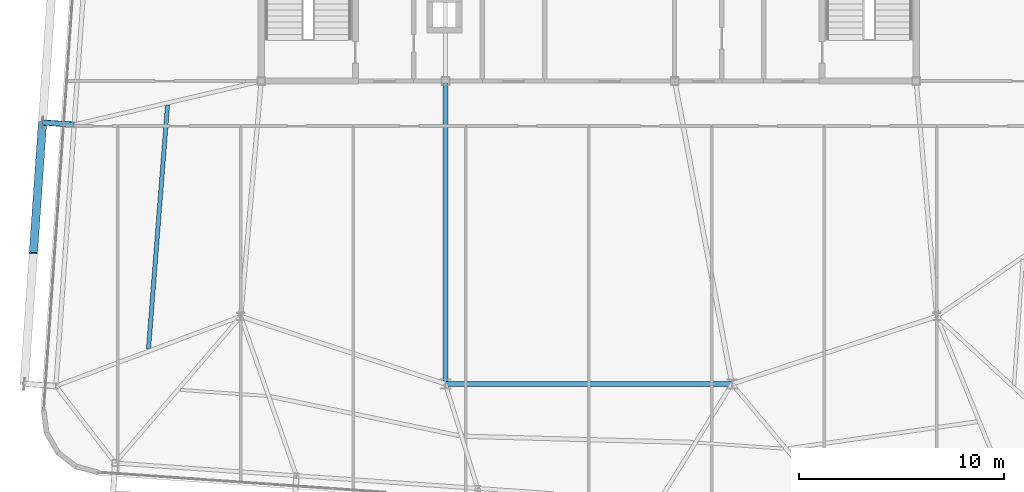
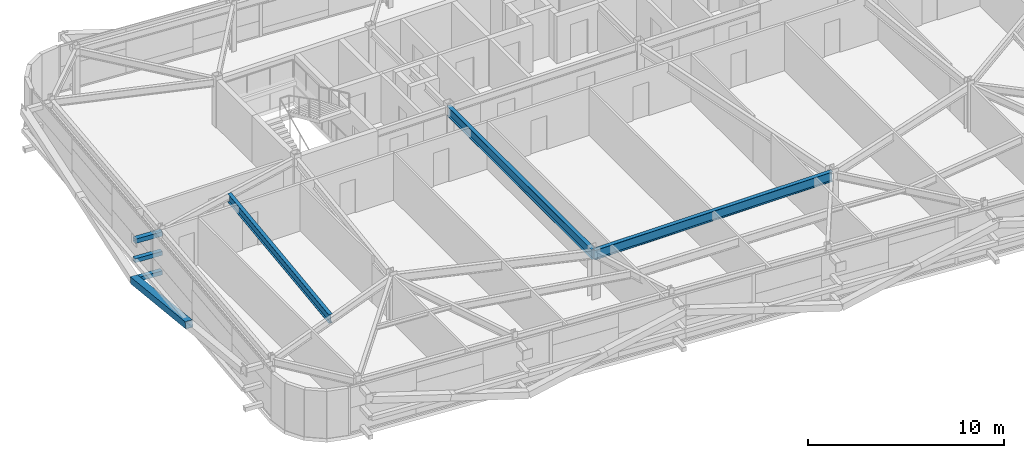
# One storey, part 10 of 39: 4 members, 3 beams.
"""IFC4 building model written with IfcOpenShell, lengths in metres."""

from ifc_helpers import new_model, si_unit, direction, frame, origin, origin_2d, place, context, subcontext, project, spatial, hollow_rectangle, i_section, extrude, source, transform, mapped, material, material_profile, profile_set, type_object, element, save


model = new_model("IFC4")

# Units and contexts
model_context = context("Model", 3, precision=1e-05, world=origin(), true_north=direction((0.0, 1.0)))
body_context = subcontext(model_context, "Body", "Model", "MODEL_VIEW")
ifc_project = project(units=[si_unit("LENGTHUNIT", "METRE"), si_unit("AREAUNIT", "SQUARE_METRE"), si_unit("VOLUMEUNIT", "CUBIC_METRE"), si_unit("PLANEANGLEUNIT", "RADIAN"), si_unit("MASSUNIT", "GRAM", prefix="KILO")], contexts=[model_context])

# Site, building, storey
site_placement = place(None, origin())
site = spatial("IfcSite", under=ifc_project, at=site_placement, CompositionType="ELEMENT")
building_placement = place(site_placement, origin())
building = spatial("IfcBuilding", under=site, at=building_placement, Name="Taldren Reach Tower", CompositionType="ELEMENT")
storey_placement = place(building_placement, frame((0.0, 0.0, 123.550048828125)))
storey = spatial("IfcBuildingStorey", under=building, at=storey_placement, Name="L37", CompositionType="ELEMENT", Elevation=123.550048828125)

# Beams
ifc_material_1 = material(Name="Steel Gr 350 (350PLUS)", Category="steel")
ifc_material_profile_1 = material_profile(ifc_material_1, i_section(OverallWidth=0.22802734375, OverallDepth=0.60205078125, WebThickness=0.010498046875, FlangeThickness=0.014892578125, at=origin_2d()), Name="610UB101")
ifc_profile_set_1 = profile_set([ifc_material_profile_1], Name="Steel Gr 350 (350PLUS)")
beam_type_1 = type_object("IfcBeamType", Name="BM-UB610B", PredefinedType="BEAM", material=ifc_profile_set_1)
shared_shape_1 = source(origin(), body_context, "Body", "SweptSolid", [
    extrude(i_section(OverallWidth=0.22802734375, OverallDepth=0.60205078125, WebThickness=0.010498046875, FlangeThickness=0.014892578125, at=origin_2d()), origin(), (0.0, 0.0, 1.0), 14.0),
])
beam_1_placement = place(storey_placement, frame((28.0, 9.199951171875, 2.62890625), z_axis=(1.0, 0.0, 0.0), x_axis=(0.0, 1.0, 0.0)))
element("IfcBeam", 1, at=beam_1_placement, inside=storey, type_object=beam_type_1, Name="Core-spine girder L37-SP11", PredefinedType="BEAM", context=body_context, shape_type="MappedRepresentation", body=[
    mapped(shared_shape_1, transform((0.0, 0.0, 0.0), scale=1.0)),
])
shared_shape_2 = source(origin(), body_context, "Body", "SweptSolid", [
    extrude(i_section(OverallWidth=0.22802734375, OverallDepth=0.60205078125, WebThickness=0.010498046875, FlangeThickness=0.014892578125, at=origin_2d()), origin(), (0.0, 0.0, 1.0), 14.800048828125),
])
beam_2_placement = place(storey_placement, frame((28.0, 24.0, 2.62890625), z_axis=(0.0, -1.0, 0.0), x_axis=(1.0, 0.0, 0.0)))
element("IfcBeam", 2, at=beam_2_placement, inside=storey, type_object=beam_type_1, Name="Core-spine girder L37-SP14", PredefinedType="BEAM", context=body_context, shape_type="MappedRepresentation", body=[
    mapped(shared_shape_2, transform((0.0, 0.0, 0.0), scale=1.0)),
])

# Members
ifc_material_2 = material(Name="Steel Gr 450 (C450L0)", Category="steel")
ifc_material_profile_2 = material_profile(ifc_material_2, hollow_rectangle(XDim=0.27490234375, YDim=0.27490234375, WallThickness=0.00927734375, at=origin_2d()), Name="275x275x9.3SHS")
ifc_profile_set_2 = profile_set([ifc_material_profile_2], Name="Steel Gr 450 (C450L0)")
member_type_1 = type_object("IfcMemberType", Name="MB-TIE273", PredefinedType="STRUT", material=ifc_profile_set_2)
shared_shape_3 = source(origin(), body_context, "Body", "SweptSolid", [
    extrude(hollow_rectangle(XDim=0.27490234375, YDim=0.27490234375, WallThickness=0.00927734375, at=origin_2d()), origin(), (0.0, 0.0, 1.0), 1.550048828125),
])
member_1_placement = place(storey_placement, frame((9.86181640625, 21.868408203125, 2.64990234375), z_axis=(-0.99756313426, 0.06976957191, 0.0), x_axis=(-0.06976957191, -0.99756313426, 0.0)))
element("IfcMember", 3, at=member_1_placement, inside=storey, type_object=member_type_1, Name="Exoskeleton diaphragm tie strut B3-W2 L37", PredefinedType="STRUT", context=body_context, shape_type="MappedRepresentation", body=[
    mapped(shared_shape_3, transform((0.0, 0.0, 0.0), scale=1.0)),
])
ifc_material_3 = material(Name="Steel Gr 350 (C350L0)", Category="steel")
ifc_material_profile_3 = material_profile(ifc_material_3, hollow_rectangle(XDim=0.25, YDim=0.25, WallThickness=0.010009765625, at=origin_2d()), Name="250x250x10.0SHS")
ifc_profile_set_3 = profile_set([ifc_material_profile_3], Name="Steel Gr 350 (C350L0)")
member_type_2 = type_object("IfcMemberType", Name="MB-POST250", PredefinedType="POST", material=ifc_profile_set_3)
shared_shape_4 = source(origin(), body_context, "Body", "SweptSolid", [
    extrude(hollow_rectangle(XDim=0.25, YDim=0.25, WallThickness=0.010009765625, at=origin_2d()), origin(), (0.0, 0.0, 1.0), 1.550048828125),
])
for number, where, z_axis, x_axis, name in (
    (4, (9.86181640625, 21.868408203125, 0.219970703125), (-0.99756313426, 0.06976957191, 0.0), (-0.06976957191, -0.99756313426, 0.0), "Exoskeleton base diaphragm tie strut B3-W2 L37"),
    (5, (9.86181640625, 21.868408203125, 1.43505859375), (-0.99756313426, 0.06976957191, 0.0), (-0.06976957191, -0.99756313426, 0.0), "Exoskeleton mid-tier diaphragm tie B3-W2 L37"),
):
    element("IfcMember", number, at=place(storey_placement, frame(where, z_axis=z_axis, x_axis=x_axis)), inside=storey, type_object=member_type_2, Name=name, PredefinedType="POST", context=body_context, shape_type="MappedRepresentation", body=[
        mapped(shared_shape_4, transform((0.0, 0.0, 0.0), scale=1.0)),
    ])

# Beam
ifc_material_profile_4 = material_profile(ifc_material_1, i_section(OverallWidth=0.208984375, OverallDepth=0.532958984375, WebThickness=0.01025390625, FlangeThickness=0.015625, at=origin_2d()), Name="530UB92.4")
ifc_profile_set_4 = profile_set([ifc_material_profile_4], Name="Steel Gr 350 (350PLUS)")
beam_type_2 = type_object("IfcBeamType", Name="BM-UB530A", PredefinedType="BEAM", material=ifc_profile_set_4)
shared_shape_5 = source(origin(), body_context, "Body", "SweptSolid", [
    extrude(i_section(OverallWidth=0.208984375, OverallDepth=0.532958984375, WebThickness=0.01025390625, FlangeThickness=0.015625, at=origin_2d()), origin(), (0.0, 0.0, 1.0), 11.965576171875),
])
beam_3_placement = place(storey_placement, frame((13.49267578125, 10.90478515625, 2.663330078125), z_axis=(0.077757433297, 0.996972307322, 0.0), x_axis=(-0.996972307322, 0.077757433297, 0.0)))
element("IfcBeam", 6, at=beam_3_placement, inside=storey, type_object=beam_type_2, Name="Secondary floor beam B3 J6 L37", PredefinedType="BEAM", context=body_context, shape_type="MappedRepresentation", body=[
    mapped(shared_shape_5, transform((0.0, 0.0, 0.0), scale=1.0)),
])

# Member
ifc_material_profile_5 = material_profile(ifc_material_2, hollow_rectangle(XDim=0.409912109375, YDim=0.409912109375, WallThickness=0.01611328125, at=origin_2d()), Name="410x410x16.0SHS")
ifc_profile_set_5 = profile_set([ifc_material_profile_5], Name="Steel Gr 450 (C450L0)")
member_type_3 = type_object("IfcMemberType", Name="MB-EXO406", PredefinedType="BRACE", material=ifc_profile_set_5)
shared_shape_6 = source(origin(), body_context, "Body", "SweptSolid", [
    extrude(hollow_rectangle(XDim=0.409912109375, YDim=0.409912109375, WallThickness=0.01611328125, at=origin_2d()), origin(), (0.0, 0.0, 1.0), 6.514404296875),
])
member_2_placement = place(storey_placement, frame((8.3154296875, 21.9765625, 0.219970703125), z_axis=(-0.068507825937, -0.980059166346, 0.186522674885), x_axis=(0.997565791441, -0.069731569223, 0.0)))
element("IfcMember", 7, at=member_2_placement, inside=storey, type_object=member_type_3, Name="Exoskeleton Diagrid Brace B3-W1 L37", PredefinedType="BRACE", context=body_context, shape_type="MappedRepresentation", body=[
    mapped(shared_shape_6, transform((0.0, 0.0, 0.0), scale=1.0)),
])

save(model, "model.ifc")
